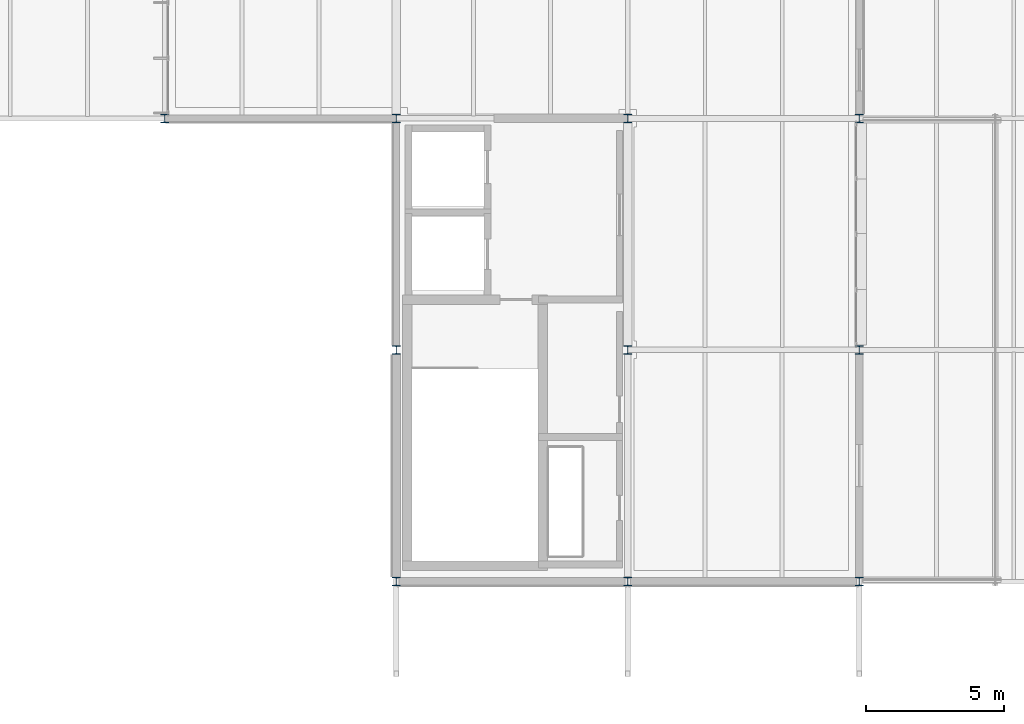
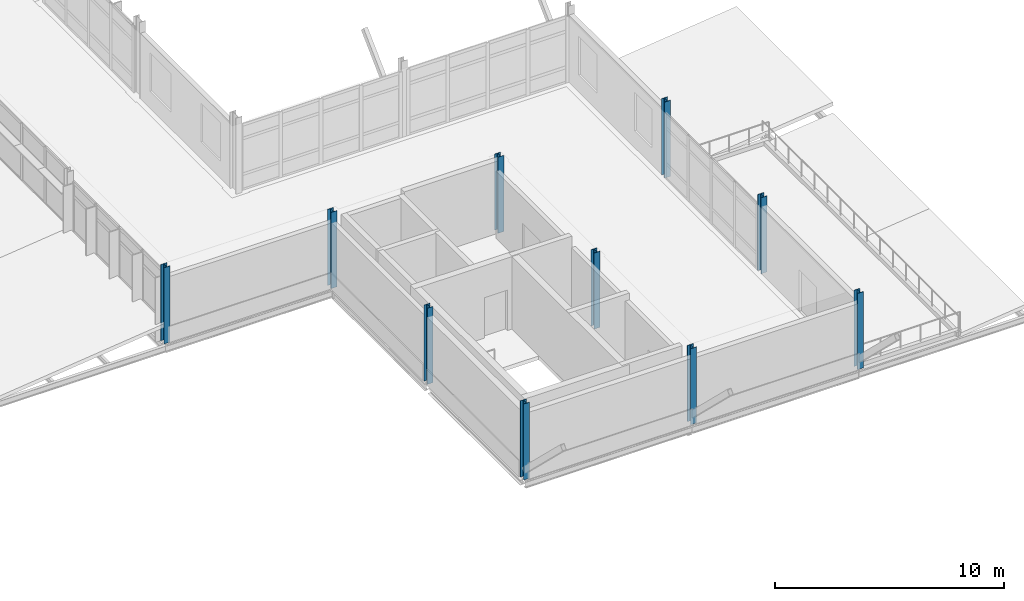
# One storey, part 2 of 131: 10 columns.
"""IFC4 building model written with IfcOpenShell, lengths in metres."""

from ifc_helpers import new_model, si_unit, direction, frame, origin, origin_2d, place, context, subcontext, project, spatial, i_section, extrude, material, material_profile, profile_set, type_object, element, save


model = new_model("IFC4")

# Units and contexts
model_context = context("Model", 3, precision=1e-05, world=origin(), true_north=direction((0.0, 1.0)))
body_context = subcontext(model_context, "Body", "Model", "MODEL_VIEW")
ifc_project = project(units=[si_unit("LENGTHUNIT", "METRE"), si_unit("AREAUNIT", "SQUARE_METRE"), si_unit("VOLUMEUNIT", "CUBIC_METRE"), si_unit("PLANEANGLEUNIT", "RADIAN"), si_unit("MASSUNIT", "GRAM", prefix="KILO")], contexts=[model_context])

# Site, building, storey
site_placement = place(None, origin())
site = spatial("IfcSite", under=ifc_project, at=site_placement, CompositionType="ELEMENT")
building_placement = place(site_placement, origin())
building = spatial("IfcBuilding", under=site, at=building_placement, Name="Mersafa Astral City Hall", CompositionType="ELEMENT")
storey_placement = place(building_placement, frame((0.0, 0.0, 13.949951171875)))
storey = spatial("IfcBuildingStorey", under=building, at=storey_placement, Name="L03", CompositionType="ELEMENT", Elevation=13.949951171875)

# Columns
ifc_material = material(Name="Steel S355", Category="steel")
ifc_material_profile = material_profile(ifc_material, i_section(OverallWidth=0.300048828125, OverallDepth=0.300048828125, WebThickness=0.010986328125, FlangeThickness=0.01904296875, FilletRadius=0.027099609375, at=origin_2d()), Name="HEB 300")
ifc_profile_set = profile_set([ifc_material_profile], Name="Steel S355")
column_type = type_object("IfcColumnType", Name="STR-COL-HEB300", PredefinedType="COLUMN", material=ifc_profile_set)
for number, where, z_axis, x_axis, name in (
    (1, (109.199951171875, 25.199951171875, 0.0), (0.0, 0.0, 1.0), (1.0, 0.0, 0.0), "L03 Structural column G-13-03"),
    (2, (117.60009765625, 8.39990234375, 0.0), (0.0, 0.0, 1.0), (1.0, 0.0, 0.0), "L03 Structural column G-14-01"),
    (3, (117.60009765625, 16.800048828125, 0.0), (0.0, 0.0, 1.0), (1.0, 0.0, 0.0), "L03 Structural column G-14-02"),
    (4, (117.60009765625, 25.199951171875, 0.0), (0.0, 0.0, 1.0), (1.0, 0.0, 0.0), "L03 Structural column G-14-03"),
    (5, (126.0, 8.39990234375, 0.0), (0.0, 0.0, 1.0), (1.0, 0.0, 0.0), "L03 Structural column G-15-01"),
    (6, (126.0, 16.800048828125, 0.0), (0.0, 0.0, 1.0), (1.0, 0.0, 0.0), "L03 Structural column G-15-02"),
    (7, (126.0, 25.199951171875, 0.0), (0.0, 0.0, 1.0), (1.0, 0.0, 0.0), "L03 Structural column G-15-03"),
    (8, (134.39990234375, 8.39990234375, 0.0), (0.0, 0.0, 1.0), (1.0, 0.0, 0.0), "L03 Structural column G-16-01"),
    (9, (134.39990234375, 16.800048828125, 0.0), (0.0, 0.0, 1.0), (1.0, 0.0, 0.0), "L03 Structural column G-16-02"),
    (10, (134.39990234375, 25.199951171875, 0.0), (0.0, 0.0, 1.0), (1.0, 0.0, 0.0), "L03 Structural column G-16-03"),
):
    element("IfcColumn", number, at=place(storey_placement, frame(where, z_axis=z_axis, x_axis=x_axis)), inside=storey, type_object=column_type, Name=name, PredefinedType="COLUMN", context=body_context, shape_type="SweptSolid", body=[
        extrude(i_section(OverallWidth=0.300048828125, OverallDepth=0.300048828125, WebThickness=0.010986328125, FlangeThickness=0.01904296875, FilletRadius=0.027099609375, at=origin_2d()), origin(), (0.0, 0.0, 1.0), 4.050048828125),
    ])

save(model, "model.ifc")
